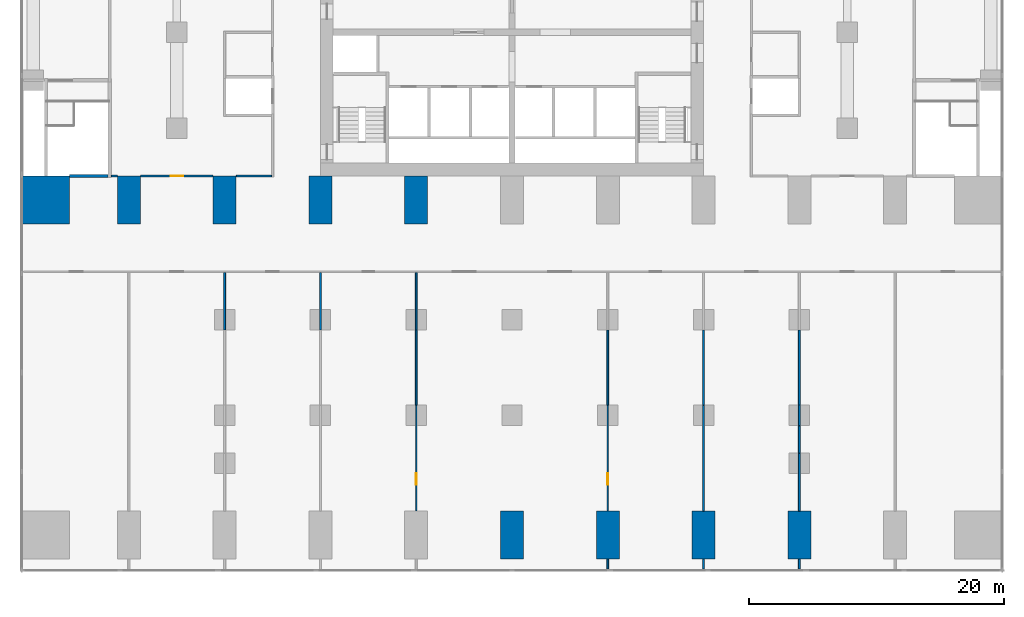
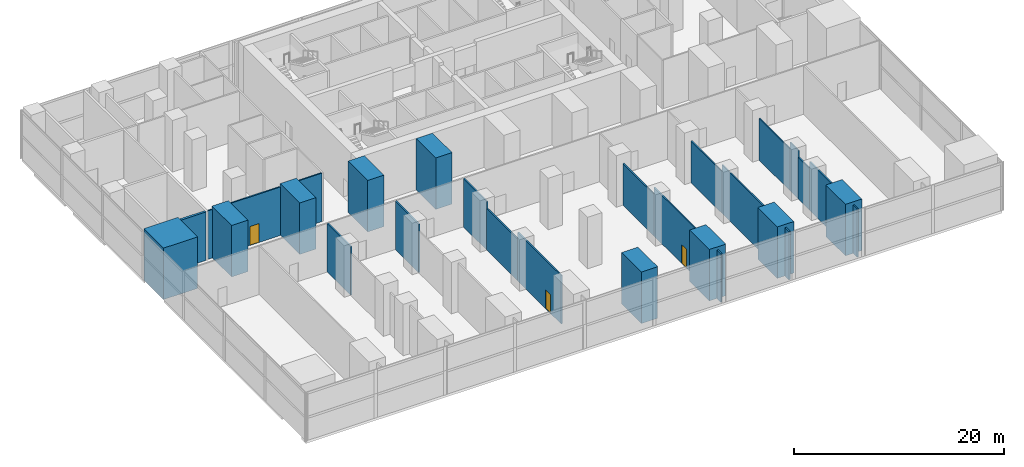
# One storey, part 8 of 14: 29 walls, 3 doors, 3 openings.
"""IFC4 building model written with IfcOpenShell, lengths in metres."""

from ifc_helpers import new_model, si_unit, direction, frame, frame_2d, origin, place, context, subcontext, project, spatial, rectangle, extrude, material, layer, layer_set, type_object, element, fill, save


model = new_model("IFC4")

# Units and contexts
model_context = context("Model", 3, precision=1e-05, world=origin(), true_north=direction((0.0, 1.0)))
body_context = subcontext(model_context, "Body", "Model", "MODEL_VIEW")
ifc_project = project(units=[si_unit("LENGTHUNIT", "METRE"), si_unit("AREAUNIT", "SQUARE_METRE"), si_unit("VOLUMEUNIT", "CUBIC_METRE"), si_unit("PLANEANGLEUNIT", "RADIAN"), si_unit("MASSUNIT", "GRAM", prefix="KILO")], contexts=[model_context])

# Site, building, storey
site_placement = place(None, origin())
site = spatial("IfcSite", under=ifc_project, at=site_placement, CompositionType="ELEMENT")
building_placement = place(site_placement, origin())
building = spatial("IfcBuilding", under=site, at=building_placement, Name="Pilkhan Gate Tower", CompositionType="ELEMENT")
storey_placement = place(building_placement, frame((0.0, 0.0, 24.0)))
storey = spatial("IfcBuildingStorey", under=building, at=storey_placement, Name="L03", CompositionType="ELEMENT", Elevation=24.0)

# Walls
ifc_material_1 = material(Name="Concrete C70/85", Category="concrete")
ifc_layer_1 = layer(ifc_material_1, 1.800048828125)
ifc_layer_set_1 = layer_set([ifc_layer_1], Name="Arch pier AP1800 C70/85")
wall_type_1 = type_object("IfcWallType", Name="Arch pier AP1800 C70/85", PredefinedType="SHEAR", material=ifc_layer_set_1)
for number, where, z_axis, x_axis, name in (
    (1, (45.0, 67.5, 0.0), (0.0, 0.0, 1.0), (0.0, 1.0, 0.0), "Arch pier N-4 L03"),
    (2, (52.5, 67.5, 0.0), (0.0, 0.0, 1.0), (0.0, 1.0, 0.0), "Arch pier N-3 L03"),
    (3, (60.0, 67.5, 0.0), (0.0, 0.0, 1.0), (0.0, 1.0, 0.0), "Arch pier N-2 L03"),
    (4, (67.5, 67.5, 0.0), (0.0, 0.0, 1.0), (0.0, 1.0, 0.0), "Arch pier N-1 L03"),
    (5, (75.0, 41.25, 0.0), (0.0, 0.0, 1.0), (0.0, 1.0, 0.0), "Arch pier S+0 L03"),
    (6, (82.5, 41.25, 0.0), (0.0, 0.0, 1.0), (0.0, 1.0, 0.0), "Arch pier S+1 L03"),
    (7, (90.0, 41.25, 0.0), (0.0, 0.0, 1.0), (0.0, 1.0, 0.0), "Arch pier S+2 L03"),
    (8, (97.5, 41.25, 0.0), (0.0, 0.0, 1.0), (0.0, 1.0, 0.0), "Arch pier S+3 L03"),
):
    element("IfcWall", number, at=place(storey_placement, frame(where, z_axis=z_axis, x_axis=x_axis)), inside=storey, type_object=wall_type_1, Name=name, PredefinedType="SHEAR", context=body_context, shape_type="SweptSolid", body=[
        extrude(rectangle(XDim=3.75, YDim=1.800048828125, at=frame_2d((1.875, 0.0))), origin(), (0.0, 0.0, 1.0), 6.0),
    ])
ifc_layer_2 = layer(ifc_material_1, 3.75)
ifc_layer_set_2 = layer_set([ifc_layer_2], Name="Arch pier AP3750 C70/85")
wall_type_2 = type_object("IfcWallType", Name="Arch pier AP3750 C70/85", PredefinedType="SHEAR", material=ifc_layer_set_2)
wall_1_placement = place(storey_placement, frame((38.47509765625, 67.5, 0.0), z_axis=(0.0, 0.0, 1.0), x_axis=(0.0, 1.0, 0.0)))
element("IfcWall", 9, at=wall_1_placement, inside=storey, type_object=wall_type_2, Name="Arch pier N-5 L03", PredefinedType="SHEAR", context=body_context, shape_type="SweptSolid", body=[
    extrude(rectangle(XDim=3.75, YDim=3.75, at=frame_2d((1.875, 0.0))), origin(), (0.0, 0.0, 1.0), 6.0),
])
ifc_material_2 = material(Name="Blockwork partition, plastered both sides", Category="masonry")
ifc_layer_3 = layer(ifc_material_2, 0.14990234375)
ifc_layer_set_3 = layer_set([ifc_layer_3], Name="Partition PW150")
wall_type_3 = type_object("IfcWallType", Name="Partition PW150", PredefinedType="PARTITIONING", material=ifc_layer_set_3)
wall_2_placement = place(storey_placement, frame((43.625, 71.25, 0.0), z_axis=(0.0, 0.0, 1.0), x_axis=(1.0, 0.0, 0.0)))
element("IfcWall", 10, at=wall_2_placement, inside=storey, type_object=wall_type_3, Name="Partition L03", PredefinedType="PARTITIONING", context=body_context, shape_type="SweptSolid", body=[
    extrude(rectangle(XDim=0.465087890625, YDim=0.14990234375, at=frame_2d((0.232421875, 0.0))), origin(), (0.0, 0.0, 1.0), 5.64990234375),
])

# Wall, opening, door
wall_3_placement = place(storey_placement, frame((45.909912109375, 71.25, 0.0), z_axis=(0.0, 0.0, 1.0), x_axis=(1.0, 0.0, 0.0)))
wall_3 = element("IfcWall", 11, at=wall_3_placement, inside=storey, type_object=wall_type_3, Name="Partition L03", PredefinedType="PARTITIONING", context=body_context, shape_type="SweptSolid", body=[
    extrude(rectangle(XDim=5.68017578125, YDim=0.14990234375, at=frame_2d((2.840087890625, 0.0))), origin(), (0.0, 0.0, 1.0), 5.64990234375),
])
opening_1_placement = place(wall_3_placement, frame((2.35009765625, 0.0, 0.0)))
opening_1 = element("IfcOpeningElement", 12, at=opening_1_placement, cuts=wall_3, Name="Opening L03-28", PredefinedType="OPENING", context=body_context, shape_type="SweptSolid", body=[
    extrude(rectangle(XDim=1.0, YDim=2.199951171875, at=frame_2d((0.5, 1.10009765625))), frame((0.0, 0.0849609375, 0.0), z_axis=(0.0, -1.0, 0.0), x_axis=(1.0, 0.0, 0.0)), (0.0, 0.0, 1.0), 0.169921875),
])
ifc_material_3 = material(Name="Timber flush door, 30 minute fire resisting", Category="wood")
door_type_1 = type_object("IfcDoorType", Name="Room door D03 1000x2200", OperationType="SINGLE_SWING_LEFT", PredefinedType="DOOR", material=ifc_material_3)
door_1_placement = place(opening_1_placement, origin())
door_1 = element("IfcDoor", 13, at=door_1_placement, inside=storey, type_object=door_type_1, Name="Room door", OperationType="SINGLE_SWING_LEFT", OverallHeight=2.199951171875, OverallWidth=1.0, PredefinedType="DOOR", context=body_context, shape_type="SweptSolid", body=[
    extrude(rectangle(XDim=1.0, YDim=2.199951171875, at=frame_2d((0.5, 1.10009765625))), frame((0.0, 0.02490234375, 0.0), z_axis=(0.0, -1.0, 0.0), x_axis=(1.0, 0.0, 0.0)), (0.0, 0.0, 1.0), 0.050048828125),
])
fill(opening_1, door_1)

# Walls
wall_4_placement = place(storey_placement, frame((53.409912109375, 71.25, 0.0), z_axis=(0.0, 0.0, 1.0), x_axis=(1.0, 0.0, 0.0)))
element("IfcWall", 14, at=wall_4_placement, inside=storey, type_object=wall_type_3, Name="Partition L03", PredefinedType="PARTITIONING", context=body_context, shape_type="SweptSolid", body=[
    extrude(rectangle(XDim=2.76513671875, YDim=0.14990234375, at=frame_2d((1.382568359375, 0.0))), origin(), (0.0, 0.0, 1.0), 5.64990234375),
])
for number, where, z_axis, x_axis, name in (
    (15, (52.5, 59.200927734375, 0.0), (0.0, 0.0, 1.0), (0.0, 1.0, 0.0), "Partition L03"),
    (16, (60.0, 59.200927734375, 0.0), (0.0, 0.0, 1.0), (0.0, 1.0, 0.0), "Partition L03"),
):
    element("IfcWall", number, at=place(storey_placement, frame(where, z_axis=z_axis, x_axis=x_axis)), inside=storey, type_object=wall_type_3, Name=name, PredefinedType="PARTITIONING", context=body_context, shape_type="SweptSolid", body=[
        extrude(rectangle(XDim=4.47412109375, YDim=0.14990234375, at=frame_2d((2.237060546875, 0.0))), origin(), (0.0, 0.0, 1.0), 5.64990234375),
    ])

# Wall, opening, door
wall_5_placement = place(storey_placement, frame((67.5, 45.010009765625, 0.0), z_axis=(0.0, 0.0, 1.0), x_axis=(0.0, 1.0, 0.0)))
wall_5 = element("IfcWall", 17, at=wall_5_placement, inside=storey, type_object=wall_type_3, Name="Partition L03", PredefinedType="PARTITIONING", context=body_context, shape_type="SweptSolid", body=[
    extrude(rectangle(XDim=8.2900390625, YDim=0.14990234375, at=frame_2d((4.14501953125, 0.0))), origin(), (0.0, 0.0, 1.0), 5.64990234375),
])
opening_2_placement = place(wall_5_placement, frame((2.050048828125, 0.0, 0.0)))
opening_2 = element("IfcOpeningElement", 18, at=opening_2_placement, cuts=wall_5, Name="Opening L03-12", PredefinedType="OPENING", context=body_context, shape_type="SweptSolid", body=[
    extrude(rectangle(XDim=0.89990234375, YDim=2.199951171875, at=frame_2d((0.449951171875, 1.10009765625))), frame((0.0, 0.0849609375, 0.0), z_axis=(0.0, -1.0, 0.0), x_axis=(1.0, 0.0, 0.0)), (0.0, 0.0, 1.0), 0.169921875),
])
ifc_material_4 = material(Name="Timber flush door, 60 minute fire resisting, self-closing", Category="wood")
door_type_2 = type_object("IfcDoorType", Name="Store door D05 900x2200", OperationType="SINGLE_SWING_LEFT", PredefinedType="DOOR", material=ifc_material_4)
door_2_placement = place(opening_2_placement, origin())
door_2 = element("IfcDoor", 19, at=door_2_placement, inside=storey, type_object=door_type_2, Name="Hall service door", OperationType="SINGLE_SWING_RIGHT", OverallHeight=2.199951171875, OverallWidth=0.89990234375, PredefinedType="DOOR", context=body_context, shape_type="SweptSolid", body=[
    extrude(rectangle(XDim=0.89990234375, YDim=2.199951171875, at=frame_2d((0.449951171875, 1.10009765625))), frame((0.0, 0.02490234375, 0.0), z_axis=(0.0, -1.0, 0.0), x_axis=(1.0, 0.0, 0.0)), (0.0, 0.0, 1.0), 0.050048828125),
])
fill(opening_2, door_2)

# Walls
wall_6_placement = place(storey_placement, frame((67.5, 53.300048828125, 0.0), z_axis=(0.0, 0.0, 1.0), x_axis=(0.0, 1.0, 0.0)))
element("IfcWall", 20, at=wall_6_placement, inside=storey, type_object=wall_type_3, Name="Partition L03", PredefinedType="PARTITIONING", context=body_context, shape_type="SweptSolid", body=[
    extrude(rectangle(XDim=5.90087890625, YDim=0.14990234375, at=frame_2d((2.950439453125, 0.0))), origin(), (0.0, 0.0, 1.0), 4.85009765625),
])
wall_7_placement = place(storey_placement, frame((67.5, 59.200927734375, 0.0), z_axis=(0.0, 0.0, 1.0), x_axis=(0.0, 1.0, 0.0)))
element("IfcWall", 21, at=wall_7_placement, inside=storey, type_object=wall_type_3, Name="Partition L03", PredefinedType="PARTITIONING", context=body_context, shape_type="SweptSolid", body=[
    extrude(rectangle(XDim=4.47412109375, YDim=0.14990234375, at=frame_2d((2.237060546875, 0.0))), origin(), (0.0, 0.0, 1.0), 5.64990234375),
])
wall_8_placement = place(storey_placement, frame((82.5, 40.485107421875, 0.0), z_axis=(0.0, 0.0, 1.0), x_axis=(0.0, 1.0, 0.0)))
element("IfcWall", 22, at=wall_8_placement, inside=storey, type_object=wall_type_3, Name="Partition L03", PredefinedType="PARTITIONING", context=body_context, shape_type="SweptSolid", body=[
    extrude(rectangle(XDim=0.7548828125, YDim=0.14990234375, at=frame_2d((0.37744140625, 0.0))), origin(), (0.0, 0.0, 1.0), 5.64990234375),
])

# Wall, opening, door
wall_9_placement = place(storey_placement, frame((82.5, 45.010009765625, 0.0), z_axis=(0.0, 0.0, 1.0), x_axis=(0.0, 1.0, 0.0)))
wall_9 = element("IfcWall", 23, at=wall_9_placement, inside=storey, type_object=wall_type_3, Name="Partition L03", PredefinedType="PARTITIONING", context=body_context, shape_type="SweptSolid", body=[
    extrude(rectangle(XDim=8.2900390625, YDim=0.14990234375, at=frame_2d((4.14501953125, 0.0))), origin(), (0.0, 0.0, 1.0), 5.64990234375),
])
opening_3_placement = place(wall_9_placement, frame((2.050048828125, 0.0, 0.0)))
opening_3 = element("IfcOpeningElement", 24, at=opening_3_placement, cuts=wall_9, Name="Opening L03-13", PredefinedType="OPENING", context=body_context, shape_type="SweptSolid", body=[
    extrude(rectangle(XDim=0.89990234375, YDim=2.199951171875, at=frame_2d((0.449951171875, 1.10009765625))), frame((0.0, 0.0849609375, 0.0), z_axis=(0.0, -1.0, 0.0), x_axis=(1.0, 0.0, 0.0)), (0.0, 0.0, 1.0), 0.169921875),
])
door_3_placement = place(opening_3_placement, origin())
door_3 = element("IfcDoor", 25, at=door_3_placement, inside=storey, type_object=door_type_2, Name="Hall service door", OperationType="SINGLE_SWING_LEFT", OverallHeight=2.199951171875, OverallWidth=0.89990234375, PredefinedType="DOOR", context=body_context, shape_type="SweptSolid", body=[
    extrude(rectangle(XDim=0.89990234375, YDim=2.199951171875, at=frame_2d((0.449951171875, 1.10009765625))), frame((0.0, 0.02490234375, 0.0), z_axis=(0.0, -1.0, 0.0), x_axis=(1.0, 0.0, 0.0)), (0.0, 0.0, 1.0), 0.050048828125),
])
fill(opening_3, door_3)

# Walls
wall_10_placement = place(storey_placement, frame((82.5, 53.300048828125, 0.0), z_axis=(0.0, 0.0, 1.0), x_axis=(0.0, 1.0, 0.0)))
element("IfcWall", 26, at=wall_10_placement, inside=storey, type_object=wall_type_3, Name="Partition L03", PredefinedType="PARTITIONING", context=body_context, shape_type="SweptSolid", body=[
    extrude(rectangle(XDim=5.90087890625, YDim=0.14990234375, at=frame_2d((2.950439453125, 0.0))), origin(), (0.0, 0.0, 1.0), 4.85009765625),
])
wall_11_placement = place(storey_placement, frame((90.0, 40.485107421875, 0.0), z_axis=(0.0, 0.0, 1.0), x_axis=(0.0, 1.0, 0.0)))
element("IfcWall", 27, at=wall_11_placement, inside=storey, type_object=wall_type_3, Name="Partition L03", PredefinedType="PARTITIONING", context=body_context, shape_type="SweptSolid", body=[
    extrude(rectangle(XDim=0.7548828125, YDim=0.14990234375, at=frame_2d((0.37744140625, 0.0))), origin(), (0.0, 0.0, 1.0), 5.64990234375),
])
wall_12_placement = place(storey_placement, frame((90.0, 45.010009765625, 0.0), z_axis=(0.0, 0.0, 1.0), x_axis=(0.0, 1.0, 0.0)))
element("IfcWall", 28, at=wall_12_placement, inside=storey, type_object=wall_type_3, Name="Partition L03", PredefinedType="PARTITIONING", context=body_context, shape_type="SweptSolid", body=[
    extrude(rectangle(XDim=8.2900390625, YDim=0.14990234375, at=frame_2d((4.14501953125, 0.0))), origin(), (0.0, 0.0, 1.0), 5.64990234375),
])
wall_13_placement = place(storey_placement, frame((90.0, 53.300048828125, 0.0), z_axis=(0.0, 0.0, 1.0), x_axis=(0.0, 1.0, 0.0)))
element("IfcWall", 29, at=wall_13_placement, inside=storey, type_object=wall_type_3, Name="Partition L03", PredefinedType="PARTITIONING", context=body_context, shape_type="SweptSolid", body=[
    extrude(rectangle(XDim=5.90087890625, YDim=0.14990234375, at=frame_2d((2.950439453125, 0.0))), origin(), (0.0, 0.0, 1.0), 4.85009765625),
])
wall_14_placement = place(storey_placement, frame((97.5, 40.485107421875, 0.0), z_axis=(0.0, 0.0, 1.0), x_axis=(0.0, 1.0, 0.0)))
element("IfcWall", 30, at=wall_14_placement, inside=storey, type_object=wall_type_3, Name="Partition L03", PredefinedType="PARTITIONING", context=body_context, shape_type="SweptSolid", body=[
    extrude(rectangle(XDim=0.7548828125, YDim=0.14990234375, at=frame_2d((0.37744140625, 0.0))), origin(), (0.0, 0.0, 1.0), 5.64990234375),
])
wall_15_placement = place(storey_placement, frame((97.5, 45.010009765625, 0.0), z_axis=(0.0, 0.0, 1.0), x_axis=(0.0, 1.0, 0.0)))
element("IfcWall", 31, at=wall_15_placement, inside=storey, type_object=wall_type_3, Name="Partition L03", PredefinedType="PARTITIONING", context=body_context, shape_type="SweptSolid", body=[
    extrude(rectangle(XDim=4.5390625, YDim=0.14990234375, at=frame_2d((2.26953125, 0.0))), origin(), (0.0, 0.0, 1.0), 5.64990234375),
])
wall_16_placement = place(storey_placement, frame((97.5, 49.549072265625, 0.0), z_axis=(0.0, 0.0, 1.0), x_axis=(0.0, 1.0, 0.0)))
element("IfcWall", 32, at=wall_16_placement, inside=storey, type_object=wall_type_3, Name="Partition L03", PredefinedType="PARTITIONING", context=body_context, shape_type="SweptSolid", body=[
    extrude(rectangle(XDim=2.15185546875, YDim=0.14990234375, at=frame_2d((1.075927734375, 0.0))), origin(), (0.0, 0.0, 1.0), 4.85009765625),
])
wall_17_placement = place(storey_placement, frame((97.5, 51.700927734375, 0.0), z_axis=(0.0, 0.0, 1.0), x_axis=(0.0, 1.0, 0.0)))
element("IfcWall", 33, at=wall_17_placement, inside=storey, type_object=wall_type_3, Name="Partition L03", PredefinedType="PARTITIONING", context=body_context, shape_type="SweptSolid", body=[
    extrude(rectangle(XDim=1.59912109375, YDim=0.14990234375, at=frame_2d((0.799560546875, 0.0))), origin(), (0.0, 0.0, 1.0), 5.64990234375),
])
wall_18_placement = place(storey_placement, frame((97.5, 53.300048828125, 0.0), z_axis=(0.0, 0.0, 1.0), x_axis=(0.0, 1.0, 0.0)))
element("IfcWall", 34, at=wall_18_placement, inside=storey, type_object=wall_type_3, Name="Partition L03", PredefinedType="PARTITIONING", context=body_context, shape_type="SweptSolid", body=[
    extrude(rectangle(XDim=5.90087890625, YDim=0.14990234375, at=frame_2d((2.950439453125, 0.0))), origin(), (0.0, 0.0, 1.0), 4.85009765625),
])
ifc_material_5 = material(Name="Reinforced blockwork, 120 minute fire resisting", Category="masonry")
ifc_layer_4 = layer(ifc_material_5, 0.25)
ifc_layer_set_4 = layer_set([ifc_layer_4], Name="Stair enclosure wall SE250")
wall_type_4 = type_object("IfcWallType", Name="Stair enclosure wall SE250", PredefinedType="PARTITIONING", material=ifc_layer_set_4)
wall_19_placement = place(storey_placement, frame((40.360107421875, 71.25, 0.0), z_axis=(0.0, 0.0, 1.0), x_axis=(1.0, 0.0, 0.0)))
element("IfcWall", 35, at=wall_19_placement, inside=storey, type_object=wall_type_4, Name="Partition L03", PredefinedType="PARTITIONING", context=body_context, shape_type="SweptSolid", body=[
    extrude(rectangle(XDim=3.014892578125, YDim=0.25, at=frame_2d((1.50732421875, 0.0))), origin(), (0.0, 0.0, 1.0), 5.64990234375),
])

save(model, "model.ifc")
